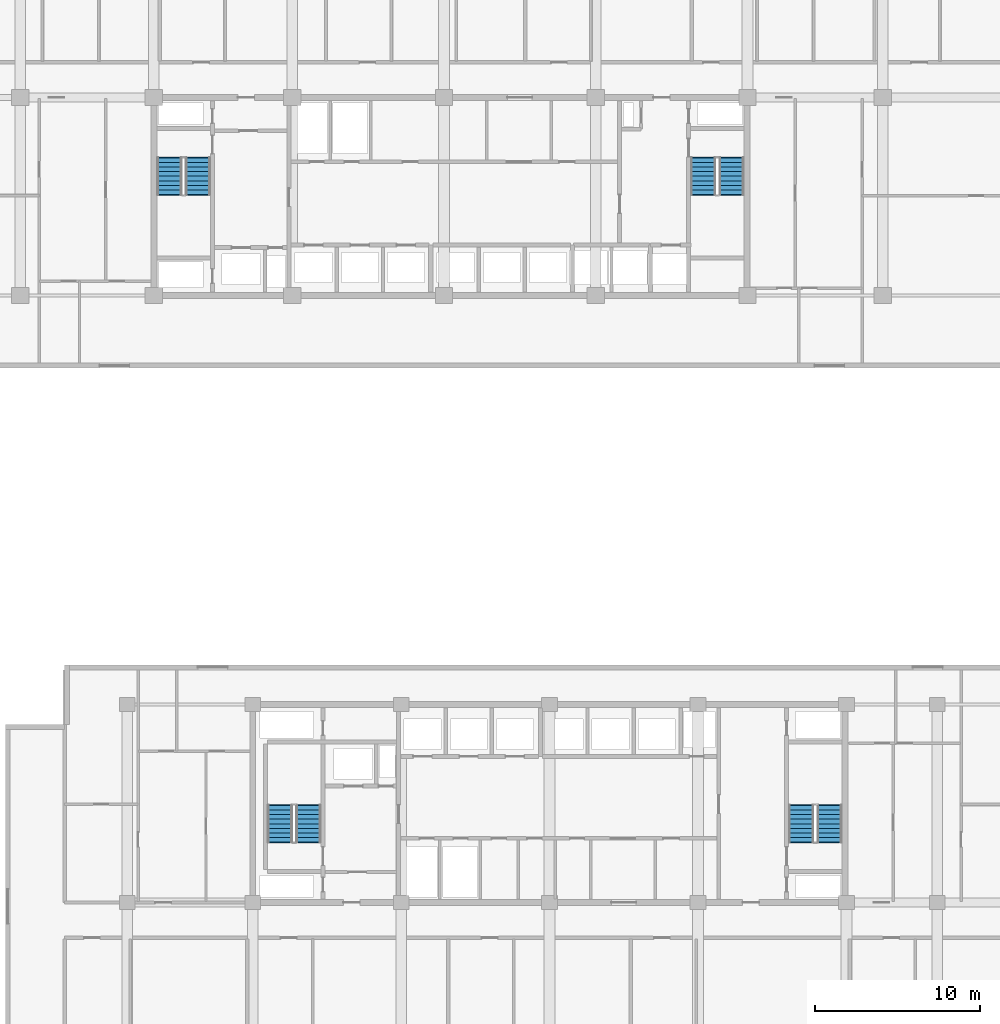
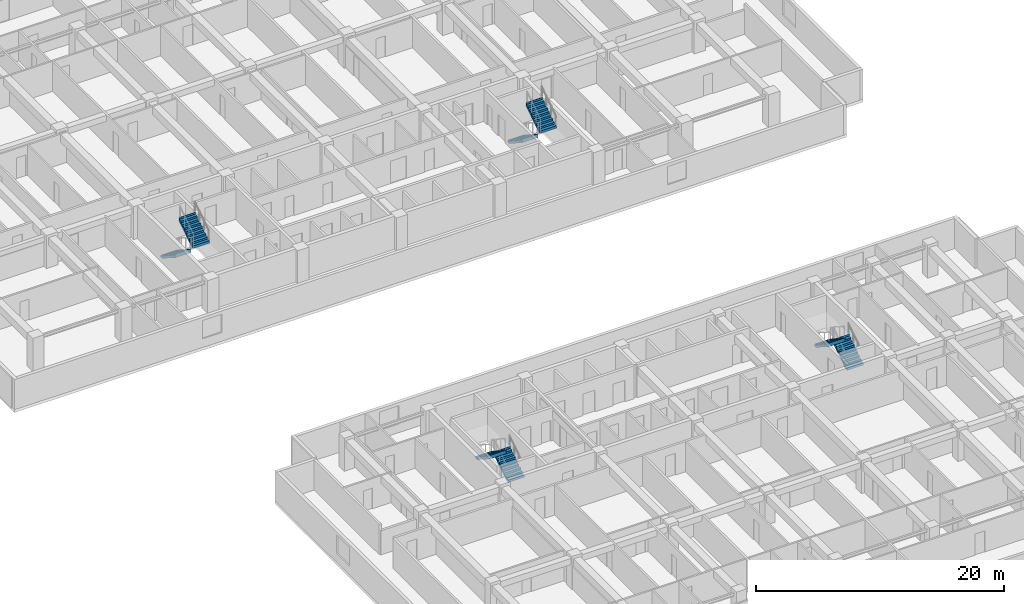
# One storey, part 18 of 23: 8 stair flights, 4 elements without a shape of their own.
"""IFC4 building model written with IfcOpenShell, lengths in metres."""

from ifc_helpers import new_model, si_unit, direction, frame, origin, place, context, subcontext, project, spatial, polyline, outline, extrude, material, type_object, element, aggregate, save


model = new_model("IFC4")

# Units and contexts
model_context = context("Model", 3, precision=1e-05, world=origin(), true_north=direction((0.0, 1.0)))
body_context = subcontext(model_context, "Body", "Model", "MODEL_VIEW")
ifc_project = project(units=[si_unit("LENGTHUNIT", "METRE"), si_unit("AREAUNIT", "SQUARE_METRE"), si_unit("VOLUMEUNIT", "CUBIC_METRE"), si_unit("PLANEANGLEUNIT", "RADIAN"), si_unit("MASSUNIT", "GRAM", prefix="KILO")], contexts=[model_context])

# Site, building, storey
site_placement = place(None, origin())
site = spatial("IfcSite", under=ifc_project, at=site_placement, CompositionType="ELEMENT")
building_placement = place(site_placement, origin())
building = spatial("IfcBuilding", under=site, at=building_placement, Name="Korimba Cascade Residences", CompositionType="ELEMENT")
storey_placement = place(building_placement, frame((0.0, 0.0, 27.25)))
storey = spatial("IfcBuildingStorey", under=building, at=storey_placement, Name="L06", CompositionType="ELEMENT", Elevation=27.25)

# Stair, stair flights
ifc_material = material(Name="Concrete C50/60", Category="concrete")
stair_type_1 = type_object("IfcStairType", Name="STR-W1-18R-1806", PredefinedType="HALF_TURN_STAIR", material=ifc_material)
stair_1_placement = place(storey_placement, origin())
stair_1 = element("IfcStair", 1, at=stair_1_placement, inside=storey, type_object=stair_type_1, Name="L06 Tower 1 West Fire Stair ST-W1", PredefinedType="HALF_TURN_STAIR")
stair_flight_type = type_object("IfcStairFlightType", Name="STF-DL-18R-1806-1520", PredefinedType="STRAIGHT", material=ifc_material)
stair_flight_1_placement = place(storey_placement, frame((77.06005859375, 63.550048828125, 0.0), z_axis=(0.0, 0.0, 1.0), x_axis=(0.0, -1.0, 0.0)))
stair_flight_1 = element("IfcStairFlight", 2, at=stair_flight_1_placement, type_object=stair_flight_type, Name="ST-W1 flight 1", NumberOfRisers=9, NumberOfTreads=8, PredefinedType="STRAIGHT", RiserHeight=0.180555556, TreadLength=0.28, context=body_context, shape_type="SweptSolid", body=[
    extrude(outline(polyline([(-0.0380859375, 0.0), (0.0, 0.1806640625), (0.280029296875, 0.1806640625), (0.280029296875, 0.361083984375), (0.56005859375, 0.361083984375), (0.56005859375, 0.541748046875), (0.840087890625, 0.541748046875), (0.840087890625, 0.72216796875), (1.1201171875, 0.72216796875), (1.1201171875, 0.90283203125), (1.39990234375, 0.90283203125), (1.39990234375, 1.083251953125), (1.679931640625, 1.083251953125), (1.679931640625, 1.263916015625), (1.9599609375, 1.263916015625), (1.9599609375, 1.4443359375), (2.239990234375, 1.4443359375), (2.239990234375, 1.625), (2.278076171875, 1.625), (2.278076171875, 1.26611328125), (0.276611328125, 0.0), (0.276611328125, -0.0380859375), (-0.0380859375, -0.0380859375), (-0.0380859375, 0.0)])), frame((0.0, 0.760009765625, 0.0), z_axis=(0.0, -1.0, 0.0), x_axis=(1.0, 0.0, 0.0)), (0.0, 0.0, 1.0), 1.52001953125),
])
stair_flight_2_placement = place(storey_placement, frame((78.780029296875, 61.31005859375, 1.625), z_axis=(0.0, 0.0, 1.0), x_axis=(0.0, 1.0, 0.0)))
stair_flight_2 = element("IfcStairFlight", 3, at=stair_flight_2_placement, type_object=stair_flight_type, Name="ST-W1 flight 2", NumberOfRisers=9, NumberOfTreads=8, PredefinedType="STRAIGHT", RiserHeight=0.180555556, TreadLength=0.28, context=body_context, shape_type="SweptSolid", body=[
    extrude(outline(polyline([(-0.0380859375, 0.0), (0.0, 0.1806640625), (0.280029296875, 0.1806640625), (0.280029296875, 0.361083984375), (0.56005859375, 0.361083984375), (0.56005859375, 0.541748046875), (0.840087890625, 0.541748046875), (0.840087890625, 0.72216796875), (1.1201171875, 0.72216796875), (1.1201171875, 0.90283203125), (1.39990234375, 0.90283203125), (1.39990234375, 1.083251953125), (1.679931640625, 1.083251953125), (1.679931640625, 1.263916015625), (1.9599609375, 1.263916015625), (1.9599609375, 1.4443359375), (2.239990234375, 1.4443359375), (2.239990234375, 1.625), (2.278076171875, 1.625), (2.278076171875, 1.26611328125), (0.276611328125, 0.0), (0.276611328125, -0.0380859375), (-0.0380859375, -0.0380859375), (-0.0380859375, 0.0)])), frame((0.0, 0.760009765625, 0.0), z_axis=(0.0, -1.0, 0.0), x_axis=(1.0, 0.0, 0.0)), (0.0, 0.0, 1.0), 1.52001953125),
])
aggregate(stair_1, [stair_flight_1, stair_flight_2])

stair_type_2 = type_object("IfcStairType", Name="STR-W2-18R-1806", PredefinedType="HALF_TURN_STAIR", material=ifc_material)
stair_2_placement = place(storey_placement, origin())
stair_2 = element("IfcStair", 4, at=stair_2_placement, inside=storey, type_object=stair_type_2, Name="L06 Tower 1 East Fire Stair ST-W2", PredefinedType="HALF_TURN_STAIR")
stair_flight_3_placement = place(storey_placement, frame((109.419921875, 63.550048828125, 0.0), z_axis=(0.0, 0.0, 1.0), x_axis=(0.0, -1.0, 0.0)))
stair_flight_3 = element("IfcStairFlight", 5, at=stair_flight_3_placement, type_object=stair_flight_type, Name="ST-W2 flight 1", NumberOfRisers=9, NumberOfTreads=8, PredefinedType="STRAIGHT", RiserHeight=0.180555556, TreadLength=0.28, context=body_context, shape_type="SweptSolid", body=[
    extrude(outline(polyline([(-0.0380859375, 0.0), (0.0, 0.1806640625), (0.280029296875, 0.1806640625), (0.280029296875, 0.361083984375), (0.56005859375, 0.361083984375), (0.56005859375, 0.541748046875), (0.840087890625, 0.541748046875), (0.840087890625, 0.72216796875), (1.1201171875, 0.72216796875), (1.1201171875, 0.90283203125), (1.39990234375, 0.90283203125), (1.39990234375, 1.083251953125), (1.679931640625, 1.083251953125), (1.679931640625, 1.263916015625), (1.9599609375, 1.263916015625), (1.9599609375, 1.4443359375), (2.239990234375, 1.4443359375), (2.239990234375, 1.625), (2.278076171875, 1.625), (2.278076171875, 1.26611328125), (0.276611328125, 0.0), (0.276611328125, -0.0380859375), (-0.0380859375, -0.0380859375), (-0.0380859375, 0.0)])), frame((0.0, 0.760009765625, 0.0), z_axis=(0.0, -1.0, 0.0), x_axis=(1.0, 0.0, 0.0)), (0.0, 0.0, 1.0), 1.52001953125),
])
stair_flight_4_placement = place(storey_placement, frame((111.139892578125, 61.31005859375, 1.625), z_axis=(0.0, 0.0, 1.0), x_axis=(0.0, 1.0, 0.0)))
stair_flight_4 = element("IfcStairFlight", 6, at=stair_flight_4_placement, type_object=stair_flight_type, Name="ST-W2 flight 2", NumberOfRisers=9, NumberOfTreads=8, PredefinedType="STRAIGHT", RiserHeight=0.180555556, TreadLength=0.28, context=body_context, shape_type="SweptSolid", body=[
    extrude(outline(polyline([(-0.0380859375, 0.0), (0.0, 0.1806640625), (0.280029296875, 0.1806640625), (0.280029296875, 0.361083984375), (0.56005859375, 0.361083984375), (0.56005859375, 0.541748046875), (0.840087890625, 0.541748046875), (0.840087890625, 0.72216796875), (1.1201171875, 0.72216796875), (1.1201171875, 0.90283203125), (1.39990234375, 0.90283203125), (1.39990234375, 1.083251953125), (1.679931640625, 1.083251953125), (1.679931640625, 1.263916015625), (1.9599609375, 1.263916015625), (1.9599609375, 1.4443359375), (2.239990234375, 1.4443359375), (2.239990234375, 1.625), (2.278076171875, 1.625), (2.278076171875, 1.26611328125), (0.276611328125, 0.0), (0.276611328125, -0.0380859375), (-0.0380859375, -0.0380859375), (-0.0380859375, 0.0)])), frame((0.0, 0.760009765625, 0.0), z_axis=(0.0, -1.0, 0.0), x_axis=(1.0, 0.0, 0.0)), (0.0, 0.0, 1.0), 1.52001953125),
])
aggregate(stair_2, [stair_flight_3, stair_flight_4])

stair_type_3 = type_object("IfcStairType", Name="STR-E1-18R-1806", PredefinedType="HALF_TURN_STAIR", material=ifc_material)
stair_3_placement = place(storey_placement, origin())
stair_3 = element("IfcStair", 7, at=stair_3_placement, inside=storey, type_object=stair_type_3, Name="L06 Tower 2 West Fire Stair ST-E1", PredefinedType="HALF_TURN_STAIR")
stair_flight_5_placement = place(storey_placement, frame((85.47998046875, 22.050048828125, 0.0), z_axis=(0.0, 0.0, 1.0), x_axis=(0.0, 1.0, 0.0)))
stair_flight_5 = element("IfcStairFlight", 8, at=stair_flight_5_placement, type_object=stair_flight_type, Name="ST-E1 flight 1", NumberOfRisers=9, NumberOfTreads=8, PredefinedType="STRAIGHT", RiserHeight=0.180555556, TreadLength=0.28, context=body_context, shape_type="SweptSolid", body=[
    extrude(outline(polyline([(-0.0380859375, 0.0), (0.0, 0.1806640625), (0.280029296875, 0.1806640625), (0.280029296875, 0.361083984375), (0.56005859375, 0.361083984375), (0.56005859375, 0.541748046875), (0.840087890625, 0.541748046875), (0.840087890625, 0.72216796875), (1.1201171875, 0.72216796875), (1.1201171875, 0.90283203125), (1.39990234375, 0.90283203125), (1.39990234375, 1.083251953125), (1.679931640625, 1.083251953125), (1.679931640625, 1.263916015625), (1.9599609375, 1.263916015625), (1.9599609375, 1.4443359375), (2.239990234375, 1.4443359375), (2.239990234375, 1.625), (2.278076171875, 1.625), (2.278076171875, 1.26611328125), (0.276611328125, 0.0), (0.276611328125, -0.0380859375), (-0.0380859375, -0.0380859375), (-0.0380859375, 0.0)])), frame((0.0, 0.760009765625, 0.0), z_axis=(0.0, -1.0, 0.0), x_axis=(1.0, 0.0, 0.0)), (0.0, 0.0, 1.0), 1.52001953125),
])
stair_flight_6_placement = place(storey_placement, frame((83.760009765625, 24.2900390625, 1.625), z_axis=(0.0, 0.0, 1.0), x_axis=(0.0, -1.0, 0.0)))
stair_flight_6 = element("IfcStairFlight", 9, at=stair_flight_6_placement, type_object=stair_flight_type, Name="ST-E1 flight 2", NumberOfRisers=9, NumberOfTreads=8, PredefinedType="STRAIGHT", RiserHeight=0.180555556, TreadLength=0.28, context=body_context, shape_type="SweptSolid", body=[
    extrude(outline(polyline([(-0.0380859375, 0.0), (0.0, 0.1806640625), (0.280029296875, 0.1806640625), (0.280029296875, 0.361083984375), (0.56005859375, 0.361083984375), (0.56005859375, 0.541748046875), (0.840087890625, 0.541748046875), (0.840087890625, 0.72216796875), (1.1201171875, 0.72216796875), (1.1201171875, 0.90283203125), (1.39990234375, 0.90283203125), (1.39990234375, 1.083251953125), (1.679931640625, 1.083251953125), (1.679931640625, 1.263916015625), (1.9599609375, 1.263916015625), (1.9599609375, 1.4443359375), (2.239990234375, 1.4443359375), (2.239990234375, 1.625), (2.278076171875, 1.625), (2.278076171875, 1.26611328125), (0.276611328125, 0.0), (0.276611328125, -0.0380859375), (-0.0380859375, -0.0380859375), (-0.0380859375, 0.0)])), frame((0.0, 0.760009765625, 0.0), z_axis=(0.0, -1.0, 0.0), x_axis=(1.0, 0.0, 0.0)), (0.0, 0.0, 1.0), 1.52001953125),
])
aggregate(stair_3, [stair_flight_5, stair_flight_6])

stair_type_4 = type_object("IfcStairType", Name="STR-E2-18R-1806", PredefinedType="HALF_TURN_STAIR", material=ifc_material)
stair_4_placement = place(storey_placement, origin())
stair_4 = element("IfcStair", 10, at=stair_4_placement, inside=storey, type_object=stair_type_4, Name="L06 Tower 2 East Fire Stair ST-E2", PredefinedType="HALF_TURN_STAIR")
stair_flight_7_placement = place(storey_placement, frame((117.080078125, 22.050048828125, 0.0), z_axis=(0.0, 0.0, 1.0), x_axis=(0.0, 1.0, 0.0)))
stair_flight_7 = element("IfcStairFlight", 11, at=stair_flight_7_placement, type_object=stair_flight_type, Name="ST-E2 flight 1", NumberOfRisers=9, NumberOfTreads=8, PredefinedType="STRAIGHT", RiserHeight=0.180555556, TreadLength=0.28, context=body_context, shape_type="SweptSolid", body=[
    extrude(outline(polyline([(-0.0380859375, 0.0), (0.0, 0.1806640625), (0.280029296875, 0.1806640625), (0.280029296875, 0.361083984375), (0.56005859375, 0.361083984375), (0.56005859375, 0.541748046875), (0.840087890625, 0.541748046875), (0.840087890625, 0.72216796875), (1.1201171875, 0.72216796875), (1.1201171875, 0.90283203125), (1.39990234375, 0.90283203125), (1.39990234375, 1.083251953125), (1.679931640625, 1.083251953125), (1.679931640625, 1.263916015625), (1.9599609375, 1.263916015625), (1.9599609375, 1.4443359375), (2.239990234375, 1.4443359375), (2.239990234375, 1.625), (2.278076171875, 1.625), (2.278076171875, 1.26611328125), (0.276611328125, 0.0), (0.276611328125, -0.0380859375), (-0.0380859375, -0.0380859375), (-0.0380859375, 0.0)])), frame((0.0, 0.760009765625, 0.0), z_axis=(0.0, -1.0, 0.0), x_axis=(1.0, 0.0, 0.0)), (0.0, 0.0, 1.0), 1.52001953125),
])
stair_flight_8_placement = place(storey_placement, frame((115.360107421875, 24.2900390625, 1.625), z_axis=(0.0, 0.0, 1.0), x_axis=(0.0, -1.0, 0.0)))
stair_flight_8 = element("IfcStairFlight", 12, at=stair_flight_8_placement, type_object=stair_flight_type, Name="ST-E2 flight 2", NumberOfRisers=9, NumberOfTreads=8, PredefinedType="STRAIGHT", RiserHeight=0.180555556, TreadLength=0.28, context=body_context, shape_type="SweptSolid", body=[
    extrude(outline(polyline([(-0.0380859375, 0.0), (0.0, 0.1806640625), (0.280029296875, 0.1806640625), (0.280029296875, 0.361083984375), (0.56005859375, 0.361083984375), (0.56005859375, 0.541748046875), (0.840087890625, 0.541748046875), (0.840087890625, 0.72216796875), (1.1201171875, 0.72216796875), (1.1201171875, 0.90283203125), (1.39990234375, 0.90283203125), (1.39990234375, 1.083251953125), (1.679931640625, 1.083251953125), (1.679931640625, 1.263916015625), (1.9599609375, 1.263916015625), (1.9599609375, 1.4443359375), (2.239990234375, 1.4443359375), (2.239990234375, 1.625), (2.278076171875, 1.625), (2.278076171875, 1.26611328125), (0.276611328125, 0.0), (0.276611328125, -0.0380859375), (-0.0380859375, -0.0380859375), (-0.0380859375, 0.0)])), frame((0.0, 0.760009765625, 0.0), z_axis=(0.0, -1.0, 0.0), x_axis=(1.0, 0.0, 0.0)), (0.0, 0.0, 1.0), 1.52001953125),
])
aggregate(stair_4, [stair_flight_7, stair_flight_8])

save(model, "model.ifc")
